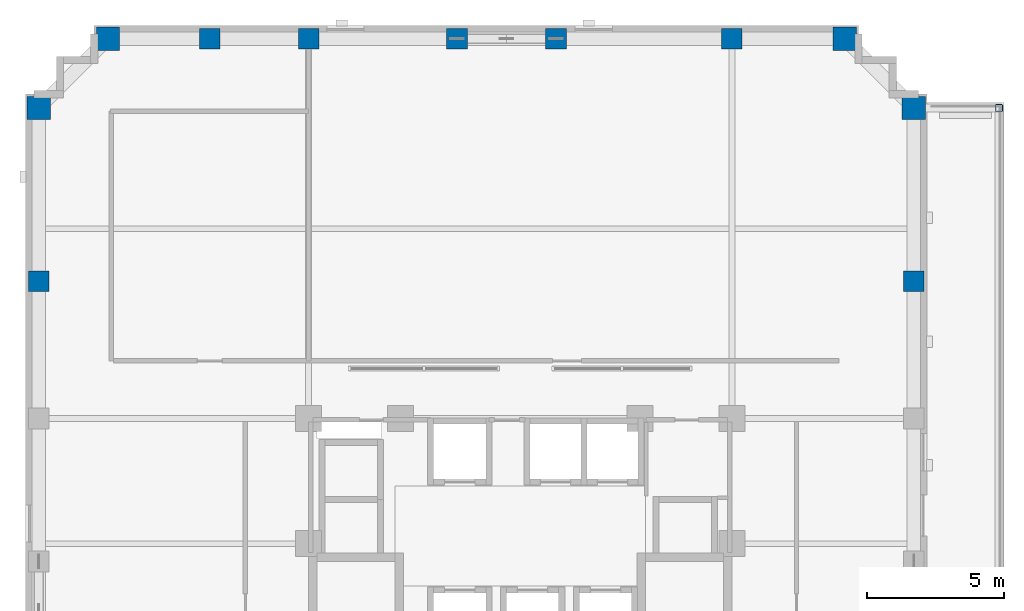
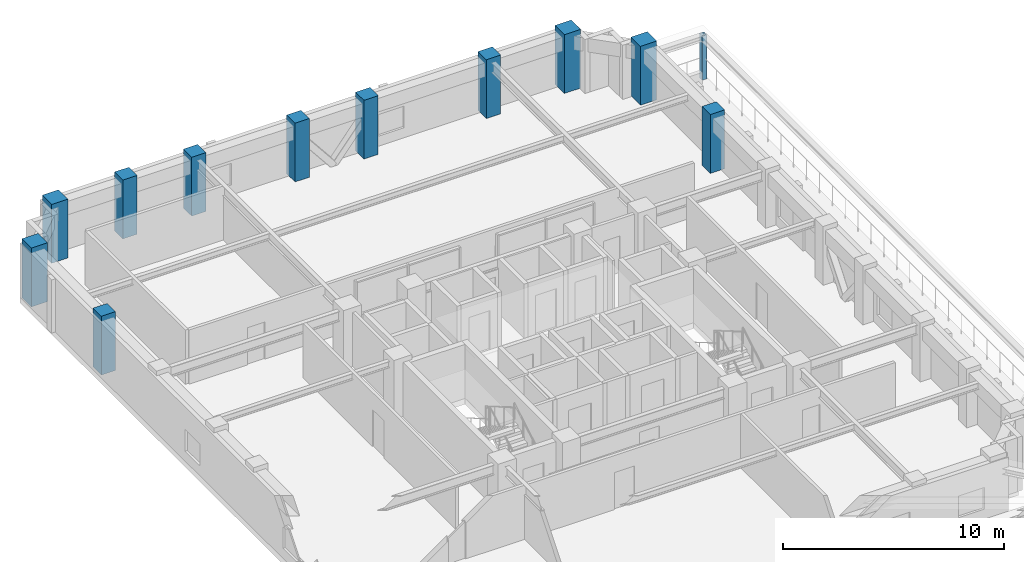
# One storey, part 4 of 15: 12 columns.
"""IFC4 building model written with IfcOpenShell, lengths in metres."""

import ifcopenshell
import ifcopenshell.guid

model = None  # the IFC model being written
_history = None  # IfcOwnerHistory: only IFC2X3 demands one
_inside = {}  # id of a spatial element -> (the spatial element, [elements in it])
_under = {}  # id of a project, library or spatial element -> (it, [spatial elements below it])
_declared = {}  # id of a project -> (the project, [libraries it declares])
_typed = {}  # id of a type object -> (the type object, [elements of that type])
_made_of = {}  # id of a material, layer set ... -> (it, [elements and type objects made of it])


def new_model(schema):
    """Start an empty IFC model of exactly this schema.

    Asked for "IFC4X3", IfcOpenShell would pick the latest addendum, in which some entities
    have other attributes; the version numbers below select the first issue.
    IFC2X3 requires an IfcOwnerHistory on every rooted entity: one is made here for all.
    """
    global model, _history
    if schema == "IFC4X3":
        model = ifcopenshell.file(schema_version=(4, 3, 0, 0))
    else:
        model = ifcopenshell.file(schema=schema)
    _inside.clear()
    _under.clear()
    _declared.clear()
    _typed.clear()
    _made_of.clear()
    _history = None
    if model.schema == "IFC2X3":
        org = make("IfcOrganization", Name="unknown")
        user = make(
            "IfcPersonAndOrganization",
            ThePerson=make("IfcPerson", FamilyName="unknown"),
            TheOrganization=org,
        )
        app = make(
            "IfcApplication",
            ApplicationDeveloper=org,
            Version="unknown",
            ApplicationFullName="unknown",
            ApplicationIdentifier="unknown",
        )
        _history = make(
            "IfcOwnerHistory",
            OwningUser=user,
            OwningApplication=app,
            ChangeAction="ADDED",
            CreationDate=0,
        )
    return model


def make(cls, **values):
    """One entity of the class cls with the attributes given. An attribute that is None is left unset."""
    return model.create_entity(
        cls, **{name: value for name, value in values.items() if value is not None}
    )


def rooted(cls, **values):
    """An entity with a GlobalId (a new one), such as an element, a storey or a relation."""
    return make(cls, GlobalId=ifcopenshell.guid.new(), OwnerHistory=_history, **values)


def si_unit(unit_type, name, prefix=None):
    """IfcSIUnit, for example si_unit("LENGTHUNIT", "METRE", prefix="MILLI")."""
    return make("IfcSIUnit", UnitType=unit_type, Prefix=prefix, Name=name)


def derived_unit(unit_type, elements):
    """IfcDerivedUnit: a product of units, each with its exponent."""
    return make(
        "IfcDerivedUnit",
        Elements=[
            make("IfcDerivedUnitElement", Unit=unit, Exponent=power)
            for unit, power in elements
        ],
        UnitType=unit_type,
    )


def assignment(units):
    """IfcUnitAssignment: the units of a project."""
    return None if units is None else make("IfcUnitAssignment", Units=units)


def point(xyz):
    """IfcCartesianPoint."""
    return None if xyz is None else make("IfcCartesianPoint", Coordinates=xyz)


def direction(xyz):
    """IfcDirection."""
    return None if xyz is None else make("IfcDirection", DirectionRatios=xyz)


def frame(location, z_axis=None, x_axis=None):
    """IfcAxis2Placement3D, a coordinate frame: its origin and axes. An axis left out is left unset."""
    return make(
        "IfcAxis2Placement3D",
        Location=point(location),
        Axis=direction(z_axis),
        RefDirection=direction(x_axis),
    )


def frame_2d(location, x_axis=None):
    """IfcAxis2Placement2D, a coordinate frame in the plane: its origin and x axis."""
    return make(
        "IfcAxis2Placement2D", Location=point(location), RefDirection=direction(x_axis)
    )


def origin():
    """The frame at (0, 0, 0) with its axes left unset."""
    return frame((0.0, 0.0, 0.0))


def origin_2d():
    """The frame at (0, 0) in the plane with its x axis left unset."""
    return frame_2d((0.0, 0.0))


def place(relative_to, where):
    """IfcLocalPlacement: puts the frame where relative to a parent placement (None: the world)."""
    return make(
        "IfcLocalPlacement", PlacementRelTo=relative_to, RelativePlacement=where
    )


def context(
    kind, dimensions, precision=None, world=None, true_north=None, identifier=None
):
    """IfcGeometricRepresentationContext, for example the 3D "Model" context."""
    return make(
        "IfcGeometricRepresentationContext",
        ContextIdentifier=identifier,
        ContextType=kind,
        CoordinateSpaceDimension=dimensions,
        Precision=precision,
        WorldCoordinateSystem=world,
        TrueNorth=true_north,
    )


def subcontext(parent, identifier, kind, view, scale=None):
    """IfcGeometricRepresentationSubContext, for example "Body" below "Model"."""
    return make(
        "IfcGeometricRepresentationSubContext",
        ContextIdentifier=identifier,
        ContextType=kind,
        ParentContext=parent,
        TargetScale=scale,
        TargetView=view,
    )


def project(units=None, contexts=None):
    """IfcProject with its units and contexts."""
    return rooted(
        "IfcProject",
        Name="project",
        RepresentationContexts=contexts,
        UnitsInContext=assignment(units),
    )


def spatial(cls, under=None, at=None, **own):
    """A site, building, storey or space (cls), placed at a placement, below another one or the project."""
    s = rooted(cls, ObjectPlacement=at, **own)
    if under is not None:
        _under.setdefault(under.id(), (under, []))[1].append(s)
    return s


def profile(cls, at=None, kind="AREA", **sizes):
    """A parametric profile (cls). Its sizes go by their IFC names, for example OverallWidth=200.0."""
    return make(cls, ProfileType=kind, Position=at, **sizes)


def rectangle(**sizes):
    """IfcRectangleProfileDef."""
    return profile("IfcRectangleProfileDef", **sizes)


def hollow_rectangle(**sizes):
    """IfcRectangleHollowProfileDef."""
    return profile("IfcRectangleHollowProfileDef", **sizes)


def extrude(swept, where, along, depth):
    """IfcExtrudedAreaSolid: the profile swept, set in the frame where, extruded along a direction by depth."""
    return make(
        "IfcExtrudedAreaSolid",
        SweptArea=swept,
        Position=where,
        ExtrudedDirection=direction(along),
        Depth=depth,
    )


def shape(context_of_items, identifier, shape_type, items):
    """IfcShapeRepresentation: the items that make up one representation, for example the "Body"."""
    return make(
        "IfcShapeRepresentation",
        ContextOfItems=context_of_items,
        RepresentationIdentifier=identifier,
        RepresentationType=shape_type,
        Items=items,
    )


def material(Name=None, Category=None):
    """IfcMaterial."""
    return make("IfcMaterial", Name=Name, Category=Category)


def material_profile(
    of_material, cross_section, Name=None, Category=None, Priority=None
):
    """IfcMaterialProfile: a cross section and its material."""
    return make(
        "IfcMaterialProfile",
        Name=Name,
        Material=of_material,
        Profile=cross_section,
        Priority=Priority,
        Category=Category,
    )


def profile_set(profiles, Name=None, composite=None):
    """IfcMaterialProfileSet."""
    return make(
        "IfcMaterialProfileSet",
        Name=Name,
        MaterialProfiles=profiles,
        CompositeProfile=composite,
    )


def made_of(thing, what):
    """Note that an element or type object is made of a material, layer set ...; save() writes the relation."""
    if what is not None:
        _made_of.setdefault(what.id(), (what, []))[1].append(thing)
    return thing


def type_object(cls, material=None, **own):
    """A type object (cls), such as IfcWallType, which elements share."""
    return made_of(rooted(cls, **own), material)


def element(
    cls,
    number,
    at=None,
    inside=None,
    cuts=None,
    type_object=None,
    material=None,
    context=None,
    identifier="Body",
    shape_type=None,
    held_by="IfcProductDefinitionShape",
    body=None,
    shapes=None,
    **own,
):
    """One element of the class cls, such as IfcWall. Its Tag is "e" and its number.

    at: its placement. inside: the storey or other place that contains it. cuts: it is an
    opening in that element (IfcRelVoidsElement). A single representation is given by context,
    identifier, shape_type and body (its items); several are given by shapes. held_by: the class
    of the entity that holds the representations. save() writes the other relations.
    """
    e = rooted(cls, Tag="e%d" % number, ObjectPlacement=at, **own)
    if body is not None:
        shapes = [shape(context, identifier, shape_type, body)]
    if shapes is not None:
        e.Representation = make(held_by, Representations=shapes)
    if inside is not None:
        _inside.setdefault(inside.id(), (inside, []))[1].append(e)
    if cuts is not None:
        rooted(
            "IfcRelVoidsElement", RelatingBuildingElement=cuts, RelatedOpeningElement=e
        )
    if type_object is not None:
        _typed.setdefault(type_object.id(), (type_object, []))[1].append(e)
    return made_of(e, material)


def aggregate(whole, parts):
    """IfcRelAggregates: a whole, such as a stair, and the parts it consists of."""
    return rooted("IfcRelAggregates", RelatingObject=whole, RelatedObjects=parts)


def save(model, path):
    """Write the relations noted so far, then the file.

    IfcRelAggregates (storeys below a building ...), IfcRelContainedInSpatialStructure (elements
    in a storey), IfcRelDefinesByType, IfcRelAssociatesMaterial and IfcRelDeclares: one each for
    every whole, place, type object, material and project.
    """
    for whole, parts in _under.values():
        aggregate(whole, parts)
    for where, things in _inside.values():
        rooted(
            "IfcRelContainedInSpatialStructure",
            RelatedElements=things,
            RelatingStructure=where,
        )
    for kind, things in _typed.values():
        rooted("IfcRelDefinesByType", RelatedObjects=things, RelatingType=kind)
    for what, things in _made_of.values():
        rooted("IfcRelAssociatesMaterial", RelatedObjects=things, RelatingMaterial=what)
    for by, libraries in _declared.values():
        rooted("IfcRelDeclares", RelatingContext=by, RelatedDefinitions=libraries)
    model.write(path)


model = new_model("IFC4")

# Units and contexts
model_context = context("Model", 3, precision=1e-05, world=origin(), true_north=direction((0.0, 1.0)))
body_context = subcontext(model_context, "Body", "Model", "MODEL_VIEW")
ifc_project = project(units=[si_unit("LENGTHUNIT", "METRE"), si_unit("AREAUNIT", "SQUARE_METRE"), si_unit("VOLUMEUNIT", "CUBIC_METRE"), si_unit("PLANEANGLEUNIT", "RADIAN"), si_unit("MASSUNIT", "GRAM", prefix="KILO"), derived_unit("THERMALTRANSMITTANCEUNIT", [(si_unit("MASSUNIT", "GRAM", prefix="KILO"), 1), (si_unit("TIMEUNIT", "SECOND"), -3), (si_unit("THERMODYNAMICTEMPERATUREUNIT", "KELVIN"), -1)])], contexts=[model_context])

# Site, building, storey
site_placement = place(None, origin())
site = spatial("IfcSite", under=ifc_project, at=site_placement, CompositionType="ELEMENT")
building_placement = place(site_placement, origin())
building = spatial("IfcBuilding", under=site, at=building_placement, Name="Korrvale Station Residences", CompositionType="ELEMENT")
storey_placement = place(building_placement, frame((0.0, 0.0, 124.39990234375)))
storey = spatial("IfcBuildingStorey", under=building, at=storey_placement, Name="L35", CompositionType="ELEMENT", Elevation=124.39990234375)

# Columns
ifc_material_1 = material(Name="Steel S355", Category="steel")
ifc_material_profile_1 = material_profile(ifc_material_1, hollow_rectangle(XDim=0.25390625, YDim=0.25390625, WallThickness=0.0126953125, InnerFilletRadius=0.0126953125, OuterFilletRadius=0.025390625, at=origin_2d()), Name="HSS254x254x13")
ifc_profile_set_1 = profile_set([ifc_material_profile_1], Name="Steel S355")
column_type_1 = type_object("IfcColumnType", Name="COL-C-HSS254x254x13-S355", PredefinedType="COLUMN", material=ifc_profile_set_1)
column_placement = place(storey_placement, frame((42.919921875, 40.300048828125, 0.0), z_axis=(0.0, 0.0, 1.0), x_axis=(1.0, 0.0, 0.0)))
element("IfcColumn", 1, at=column_placement, inside=storey, type_object=column_type_1, Name="L35 Setback Canopy Frame Post 2", PredefinedType="COLUMN", context=body_context, shape_type="SweptSolid", body=[
    extrude(hollow_rectangle(XDim=0.25390625, YDim=0.25390625, WallThickness=0.0126953125, InnerFilletRadius=0.0126953125, OuterFilletRadius=0.025390625, at=origin_2d()), origin(), (0.0, 0.0, 1.0), 2.4501953125),
])
ifc_material_2 = material(Name="Concrete C60/75", Category="concrete")
ifc_material_profile_2 = material_profile(ifc_material_2, rectangle(XDim=0.75, YDim=0.75, at=origin_2d()), Name="RC750x750")
ifc_profile_set_2 = profile_set([ifc_material_profile_2], Name="Concrete C60/75")
column_type_2 = type_object("IfcColumnType", Name="COL-C-RC750x750-C6075", PredefinedType="COLUMN", material=ifc_profile_set_2)
for number, where, z_axis, x_axis, name in (
    (2, (14.199951171875, 42.820068359375, 0.0), (0.0, 0.0, 1.0), (1.0, 0.0, 0.0), "L35 Bundled-Tube North Column 09"),
    (3, (17.800048828125, 42.820068359375, 0.0), (0.0, 0.0, 1.0), (1.0, 0.0, 0.0), "L35 Bundled-Tube North Column 10"),
    (4, (23.199951171875, 42.820068359375, 0.0), (0.0, 0.0, 1.0), (1.0, 0.0, 0.0), "L35 Bundled-Tube North Column 11"),
    (5, (26.800048828125, 42.820068359375, 0.0), (0.0, 0.0, 1.0), (1.0, 0.0, 0.0), "L35 Bundled-Tube North Column 12"),
    (6, (33.199951171875, 42.820068359375, 0.0), (0.0, 0.0, 1.0), (1.0, 0.0, 0.0), "L35 Bundled-Tube North Column 13"),
    (7, (7.97998046875, 34.0, 0.0), (0.0, 0.0, 1.0), (1.0, 0.0, 0.0), "L35 Bundled-Tube West Column 21"),
    (8, (39.820068359375, 34.0, 0.0), (0.0, 0.0, 1.0), (1.0, 0.0, 0.0), "L35 Bundled-Tube East Column 29"),
):
    element("IfcColumn", number, at=place(storey_placement, frame(where, z_axis=z_axis, x_axis=x_axis)), inside=storey, type_object=column_type_2, Name=name, PredefinedType="COLUMN", context=body_context, shape_type="SweptSolid", body=[
        extrude(rectangle(XDim=0.75, YDim=0.75, at=origin_2d()), origin(), (0.0, 0.0, 1.0), 3.25),
    ])
ifc_material_profile_3 = material_profile(ifc_material_2, rectangle(XDim=0.85009765625, YDim=0.85009765625, at=origin_2d()), Name="RC850x850")
ifc_profile_set_3 = profile_set([ifc_material_profile_3], Name="Concrete C60/75")
column_type_3 = type_object("IfcColumnType", Name="COL-C-RC850x850-C6075", PredefinedType="COLUMN", material=ifc_profile_set_3)
for number, where, z_axis, x_axis, name in (
    (9, (10.5, 42.820068359375, 0.0), (0.0, 0.0, 1.0), (1.0, 0.0, 0.0), "L35 Bundled-Tube North Column 08"),
    (10, (37.300048828125, 42.820068359375, 0.0), (0.0, 0.0, 1.0), (1.0, 0.0, 0.0), "L35 Bundled-Tube North Column 14"),
    (11, (7.97998046875, 40.300048828125, 0.0), (0.0, 0.0, 1.0), (1.0, 0.0, 0.0), "L35 Bundled-Tube West Column 22"),
    (12, (39.820068359375, 40.300048828125, 0.0), (0.0, 0.0, 1.0), (1.0, 0.0, 0.0), "L35 Bundled-Tube East Column 30"),
):
    element("IfcColumn", number, at=place(storey_placement, frame(where, z_axis=z_axis, x_axis=x_axis)), inside=storey, type_object=column_type_3, Name=name, PredefinedType="COLUMN", context=body_context, shape_type="SweptSolid", body=[
        extrude(rectangle(XDim=0.85009765625, YDim=0.85009765625, at=origin_2d()), origin(), (0.0, 0.0, 1.0), 3.25),
    ])

save(model, "model.ifc")
